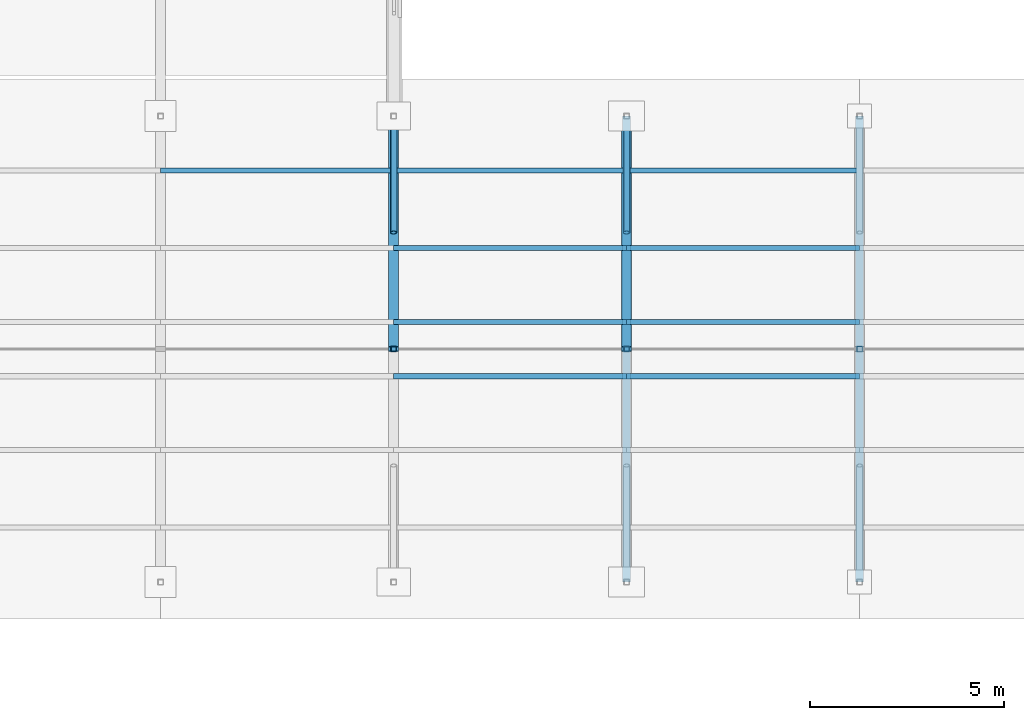
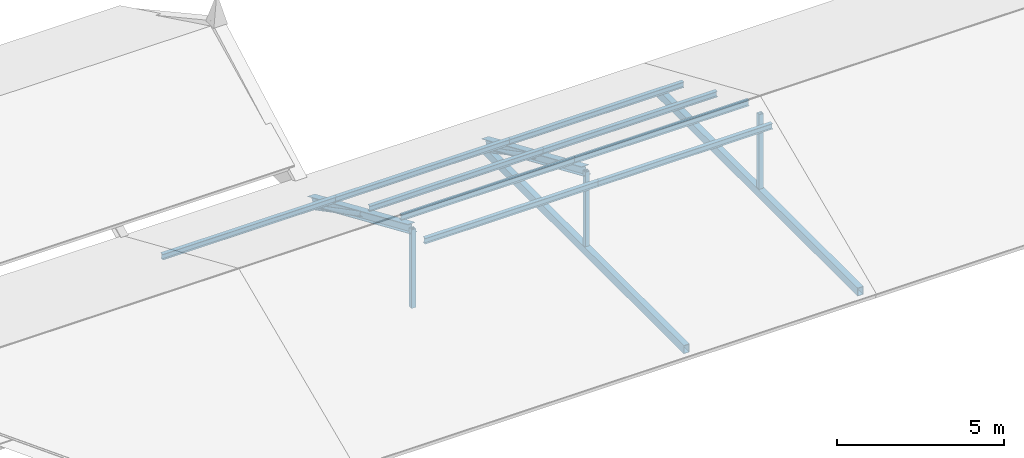
# One storey, part 29 of 59: 18 members.
"""IFC4 building model written with IfcOpenShell, lengths in metres."""

from ifc_helpers import new_model, si_unit, direction, frame, origin, origin_2d, place, context, subcontext, project, spatial, hollow_rectangle, hollow_circle, i_section, extrude, material, material_profile, profile_set, type_object, element, save


model = new_model("IFC4")

# Units and contexts
model_context = context("Model", 3, precision=1e-05, world=origin(), true_north=direction((0.0, 1.0)))
body_context = subcontext(model_context, "Body", "Model", "MODEL_VIEW")
ifc_project = project(units=[si_unit("LENGTHUNIT", "METRE"), si_unit("AREAUNIT", "SQUARE_METRE"), si_unit("VOLUMEUNIT", "CUBIC_METRE"), si_unit("PLANEANGLEUNIT", "RADIAN"), si_unit("MASSUNIT", "GRAM", prefix="KILO")], contexts=[model_context])

# Site, building, storey
site_placement = place(None, origin())
site = spatial("IfcSite", under=ifc_project, at=site_placement, CompositionType="ELEMENT")
building_placement = place(site_placement, origin())
building = spatial("IfcBuilding", under=site, at=building_placement, Name="Cumevento Cable Car Station", CompositionType="ELEMENT")
storey_placement = place(building_placement, frame((0.0, 0.0, 18.0)))
storey = spatial("IfcBuildingStorey", under=building, at=storey_placement, Name="L05", CompositionType="ELEMENT", Elevation=18.0)

# Members
ifc_material_1 = material(Name="Steel ASTM A572 Grade 50", Category="steel")
ifc_material_profile_1 = material_profile(ifc_material_1, hollow_circle(Radius=0.084228515625, WallThickness=0.010009765625, at=origin_2d()), Name="CHS168.3x10.0")
ifc_profile_set_1 = profile_set([ifc_material_profile_1], Name="Steel ASTM A572 Grade 50")
member_type_1 = type_object("IfcMemberType", Name="Framing Brace TD-02 CHS168.3x10.0", PredefinedType="BRACE", material=ifc_profile_set_1)
for number, where, z_axis, x_axis, name in (
    (1, (142.0, 45.0, 0.02001953125), (0.0, -0.886677465101, 0.462388443715), (1.0, 0.0, 0.0), "Cabin Garage Truss Web Brace #365"),
    (2, (148.0, 45.0, 0.02001953125), (0.0, -0.886677465101, 0.462388443715), (1.0, 0.0, 0.0), "Cabin Garage Truss Web Brace #373"),
):
    element("IfcMember", number, at=place(storey_placement, frame(where, z_axis=z_axis, x_axis=x_axis)), inside=storey, type_object=member_type_1, Name=name, PredefinedType="BRACE", context=body_context, shape_type="SweptSolid", body=[
        extrude(hollow_circle(Radius=0.084228515625, WallThickness=0.010009765625, at=origin_2d()), origin(), (0.0, 0.0, 1.0), 3.38330078125),
    ])
ifc_material_2 = material(Name="Steel ASTM A572 Grade 50", Category="steel")
ifc_material_profile_2 = material_profile(ifc_material_2, i_section(OverallWidth=0.25390625, OverallDepth=0.305908203125, WebThickness=0.0087890625, FlangeThickness=0.0146484375, at=origin_2d()), Name="W310x79.0")
ifc_profile_set_2 = profile_set([ifc_material_profile_2], Name="Steel ASTM A572 Grade 50")
member_type_2 = type_object("IfcMemberType", Name="Framing Chord TC-03 W310x79.0", PredefinedType="CHORD", material=ifc_profile_set_2)
for number, where, z_axis, x_axis, name in (
    (3, (142.0, 39.0, 2.888916015625), (0.0, 0.917059377477, -0.398750671701), (-1.0, 0.0, 0.0), "Cabin Garage Truss Top Chord #367"),
    (4, (148.0, 39.0, 2.888916015625), (0.0, 0.917059377477, -0.398750671701), (-1.0, 0.0, 0.0), "Cabin Garage Truss Top Chord #375"),
):
    element("IfcMember", number, at=place(storey_placement, frame(where, z_axis=z_axis, x_axis=x_axis)), inside=storey, type_object=member_type_2, Name=name, PredefinedType="CHORD", context=body_context, shape_type="SweptSolid", body=[
        extrude(i_section(OverallWidth=0.25390625, OverallDepth=0.305908203125, WebThickness=0.0087890625, FlangeThickness=0.0146484375, at=origin_2d()), origin(), (0.0, 0.0, 1.0), 6.542724609375),
    ])
ifc_material_3 = material(Name="Steel ASTM A572 Grade 50", Category="steel")
ifc_material_profile_3 = material_profile(ifc_material_3, hollow_rectangle(XDim=0.199951171875, YDim=0.300048828125, WallThickness=0.012451171875, at=origin_2d()), Name="HSS300x200x12.5")
ifc_profile_set_3 = profile_set([ifc_material_profile_3], Name="Steel ASTM A572 Grade 50")
member_type_3 = type_object("IfcMemberType", Name="Framing Chord TC-04 HSS300x200x12.5", PredefinedType="CHORD", material=ifc_profile_set_3)
for number, where, z_axis, x_axis, name in (
    (5, (148.0, 33.0, 0.02001953125), (0.0, 1.0, 0.0), (-1.0, 0.0, 0.0), "Cabin Garage Truss Bottom Tie Chord #370"),
    (6, (154.0, 33.0, 0.02001953125), (0.0, 1.0, 0.0), (-1.0, 0.0, 0.0), "Cabin Garage Truss Bottom Tie Chord #378"),
):
    element("IfcMember", number, at=place(storey_placement, frame(where, z_axis=z_axis, x_axis=x_axis)), inside=storey, type_object=member_type_3, Name=name, PredefinedType="CHORD", context=body_context, shape_type="SweptSolid", body=[
        extrude(hollow_rectangle(XDim=0.199951171875, YDim=0.300048828125, WallThickness=0.012451171875, at=origin_2d()), origin(), (0.0, 0.0, 1.0), 12.0),
    ])
ifc_material_4 = material(Name="Steel ASTM A572 Grade 50", Category="steel")
ifc_material_profile_4 = material_profile(ifc_material_4, hollow_rectangle(XDim=0.14990234375, YDim=0.14990234375, WallThickness=0.010009765625, at=origin_2d()), Name="HSS150x150x10.0")
ifc_profile_set_4 = profile_set([ifc_material_profile_4], Name="Steel ASTM A572 Grade 50")
member_type_4 = type_object("IfcMemberType", Name="Framing Post TD-04 HSS150x150x10.0", PredefinedType="POST", material=ifc_profile_set_4)
for number, where, z_axis, x_axis, name in (
    (7, (142.0, 39.0, 0.02001953125), (0.0, 0.0, 1.0), (1.0, 0.0, 0.0), "Cabin Garage Truss King Post #363"),
    (8, (148.0, 39.0, 0.02001953125), (0.0, 0.0, 1.0), (1.0, 0.0, 0.0), "Cabin Garage Truss King Post #371"),
    (9, (154.0, 39.0, 0.02001953125), (0.0, 0.0, 1.0), (1.0, 0.0, 0.0), "Cabin Garage Truss King Post #379"),
):
    element("IfcMember", number, at=place(storey_placement, frame(where, z_axis=z_axis, x_axis=x_axis)), inside=storey, type_object=member_type_4, Name=name, PredefinedType="POST", context=body_context, shape_type="SweptSolid", body=[
        extrude(hollow_rectangle(XDim=0.14990234375, YDim=0.14990234375, WallThickness=0.010009765625, at=origin_2d()), origin(), (0.0, 0.0, 1.0), 2.868896484375),
    ])
ifc_material_5 = material(Name="Steel ASTM A572 Grade 50", Category="steel")
ifc_material_profile_5 = material_profile(ifc_material_5, i_section(OverallWidth=0.133056640625, OverallDepth=0.20703125, WebThickness=0.005859375, FlangeThickness=0.00830078125, at=origin_2d()), Name="W200x26.6")
ifc_profile_set_5 = profile_set([ifc_material_profile_5], Name="Steel ASTM A572 Grade 50")
member_type_5 = type_object("IfcMemberType", Name="Framing Purlin PR-02 W200x26.6", PredefinedType="PURLIN", material=ifc_profile_set_5)
for number, where, z_axis, x_axis, name in (
    (10, (136.0, 43.60009765625, 1.169677734375), (1.0, 0.0, 0.0), (0.0, 1.0, 0.0), "Cabin Garage Purlin #420"),
    (11, (142.0, 38.300048828125, 2.865234375), (1.0, 0.0, 0.0), (0.0, 1.0, 0.0), "Cabin Garage Purlin #423"),
    (12, (142.0, 39.699951171875, 2.865234375), (1.0, 0.0, 0.0), (0.0, 1.0, 0.0), "Cabin Garage Purlin #424"),
    (13, (142.0, 41.60009765625, 2.039306640625), (1.0, 0.0, 0.0), (0.0, 1.0, 0.0), "Cabin Garage Purlin #425"),
    (14, (142.0, 43.60009765625, 1.169677734375), (1.0, 0.0, 0.0), (0.0, 1.0, 0.0), "Cabin Garage Purlin #426"),
    (15, (148.0, 38.300048828125, 2.865234375), (1.0, 0.0, 0.0), (0.0, 1.0, 0.0), "Cabin Garage Purlin #429"),
    (16, (148.0, 39.699951171875, 2.865234375), (1.0, 0.0, 0.0), (0.0, 1.0, 0.0), "Cabin Garage Purlin #430"),
    (17, (148.0, 41.60009765625, 2.039306640625), (1.0, 0.0, 0.0), (0.0, 1.0, 0.0), "Cabin Garage Purlin #431"),
    (18, (148.0, 43.60009765625, 1.169677734375), (1.0, 0.0, 0.0), (0.0, 1.0, 0.0), "Cabin Garage Purlin #432"),
):
    element("IfcMember", number, at=place(storey_placement, frame(where, z_axis=z_axis, x_axis=x_axis)), inside=storey, type_object=member_type_5, Name=name, PredefinedType="PURLIN", context=body_context, shape_type="SweptSolid", body=[
        extrude(i_section(OverallWidth=0.133056640625, OverallDepth=0.20703125, WebThickness=0.005859375, FlangeThickness=0.00830078125, at=origin_2d()), origin(), (0.0, 0.0, 1.0), 6.0),
    ])

save(model, "model.ifc")
